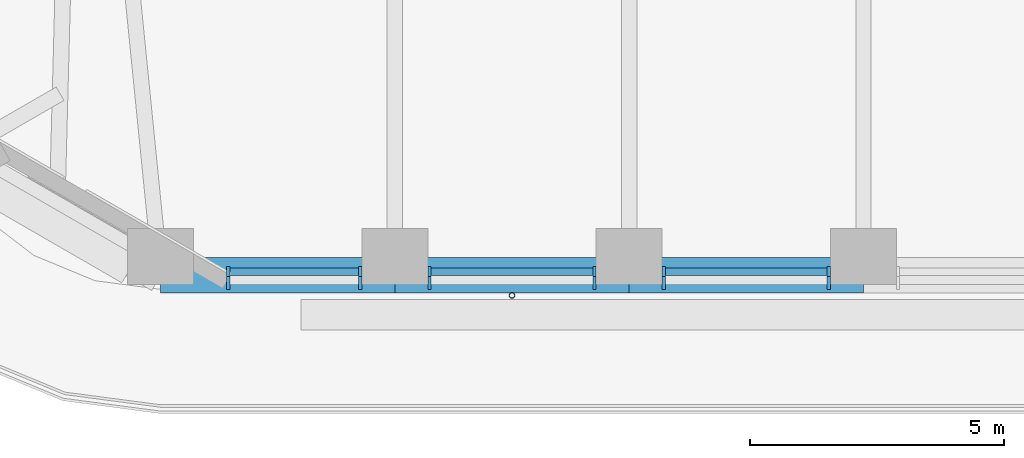
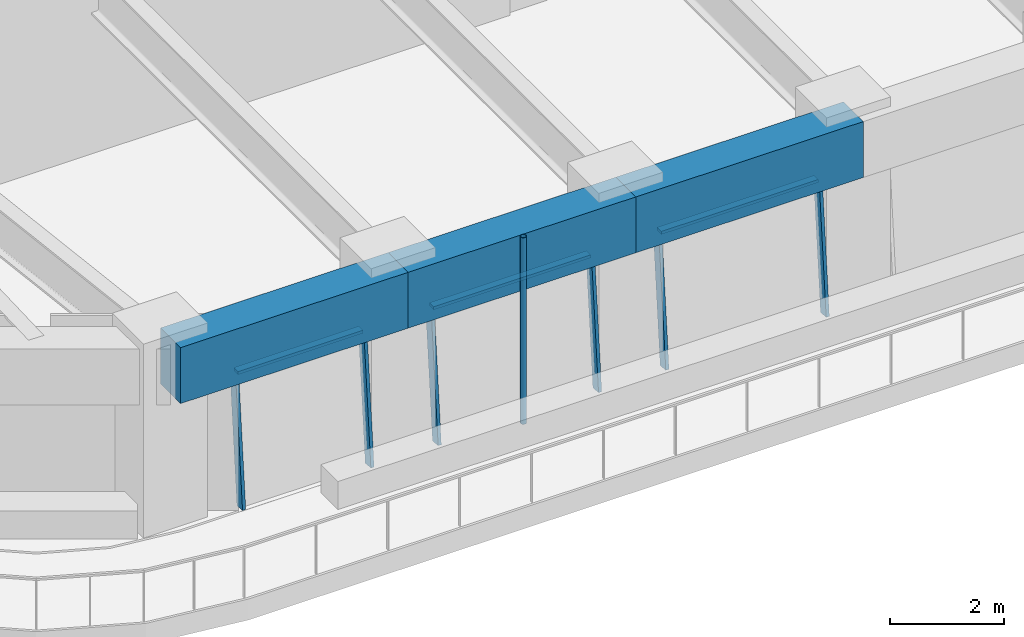
# One storey, part 2 of 20: 10 members, 3 beams, 3 elements without a shape of their own.
"""IFC4 building model written with IfcOpenShell, lengths in metres."""

from ifc_helpers import new_model, si_unit, direction, frame, origin, origin_2d, place, context, subcontext, project, spatial, rectangle, hollow_circle, extrude, material, material_profile, profile_set, type_object, element, aggregate, save


model = new_model("IFC4")

# Units and contexts
model_context = context("Model", 3, precision=1e-05, world=origin(), true_north=direction((0.0, 1.0)))
body_context = subcontext(model_context, "Body", "Model", "MODEL_VIEW")
ifc_project = project(units=[si_unit("LENGTHUNIT", "METRE"), si_unit("AREAUNIT", "SQUARE_METRE"), si_unit("VOLUMEUNIT", "CUBIC_METRE"), si_unit("PLANEANGLEUNIT", "RADIAN"), si_unit("MASSUNIT", "GRAM", prefix="KILO")], contexts=[model_context])

# Site, building, storey
site_placement = place(None, origin())
site = spatial("IfcSite", under=ifc_project, at=site_placement, CompositionType="ELEMENT")
building_placement = place(site_placement, origin())
building = spatial("IfcBuilding", under=site, at=building_placement, Name="Tarfa Lantern Tower", CompositionType="ELEMENT")
storey_placement = place(building_placement, frame((0.0, 0.0, 236.5)))
storey = spatial("IfcBuildingStorey", under=building, at=storey_placement, Name="L53", CompositionType="ELEMENT", Elevation=236.5)

# Curtain wall, members
ifc_material_1 = material(Name="Aluminium framed curtain wall", Category="aluminium")
curtain_wall_type = type_object("IfcCurtainWallType", Name="CW3 CANTED GLAZING HIGH ZONE 2800", PredefinedType="USERDEFINED", material=ifc_material_1)
curtain_wall_1_placement = place(storey_placement, origin())
curtain_wall_1 = element("IfcCurtainWall", 1, at=curtain_wall_1_placement, inside=storey, type_object=curtain_wall_type, Name="CW3 S L53", ObjectType="CURTAIN WALL", PredefinedType="USERDEFINED")
ifc_material_2 = material(Name="Aluminium mullion", Category="aluminium")
ifc_material_profile_1 = material_profile(ifc_material_2, rectangle(XDim=0.06494140625, YDim=0.199951171875, at=origin_2d()), Name="AL MULLION 65x200")
ifc_profile_set_1 = profile_set([ifc_material_profile_1], Name="Aluminium mullion")
member_type_1 = type_object("IfcMemberType", Name="CWM1 MULLION 65x200", PredefinedType="MULLION", material=ifc_profile_set_1)
member_1_placement = place(storey_placement, frame((-12.52392578125, -28.89990234375, 0.0), z_axis=(0.0, 0.088930399417, 0.996037842685), x_axis=(-1.0, 0.0, 0.0)))
member_1 = element("IfcMember", 2, at=member_1_placement, type_object=member_type_1, Name="CW3 mullion 1", PredefinedType="MULLION", context=body_context, shape_type="SweptSolid", body=[
    extrude(rectangle(XDim=0.06494140625, YDim=0.199951171875, at=origin_2d()), origin(), (0.0, 0.0, 1.0), 2.811279296875),
])
member_2_placement = place(storey_placement, frame((-9.920166015625, -28.89990234375, 0.0), z_axis=(0.0, 0.088930399417, 0.996037842685), x_axis=(-1.0, 0.0, 0.0)))
member_2 = element("IfcMember", 3, at=member_2_placement, type_object=member_type_1, Name="CW3 mullion 2", PredefinedType="MULLION", context=body_context, shape_type="SweptSolid", body=[
    extrude(rectangle(XDim=0.06494140625, YDim=0.199951171875, at=origin_2d()), origin(), (0.0, 0.0, 1.0), 2.811279296875),
])

curtain_wall_2_placement = place(storey_placement, origin())
curtain_wall_2 = element("IfcCurtainWall", 4, at=curtain_wall_2_placement, inside=storey, type_object=curtain_wall_type, Name="CW3 S L53", ObjectType="CURTAIN WALL", PredefinedType="USERDEFINED")
member_3_placement = place(storey_placement, frame((-8.55517578125, -28.89990234375, 0.0), z_axis=(0.0, 0.088930399417, 0.996037842685), x_axis=(-1.0, 0.0, 0.0)))
member_3 = element("IfcMember", 5, at=member_3_placement, type_object=member_type_1, Name="CW3 mullion 1", PredefinedType="MULLION", context=body_context, shape_type="SweptSolid", body=[
    extrude(rectangle(XDim=0.06494140625, YDim=0.199951171875, at=origin_2d()), origin(), (0.0, 0.0, 1.0), 2.811279296875),
])
member_4_placement = place(storey_placement, frame((-5.30126953125, -28.89990234375, 0.0), z_axis=(0.0, 0.088930399417, 0.996037842685), x_axis=(-1.0, 0.0, 0.0)))
member_4 = element("IfcMember", 6, at=member_4_placement, type_object=member_type_1, Name="CW3 mullion 2", PredefinedType="MULLION", context=body_context, shape_type="SweptSolid", body=[
    extrude(rectangle(XDim=0.06494140625, YDim=0.199951171875, at=origin_2d()), origin(), (0.0, 0.0, 1.0), 2.811279296875),
])

curtain_wall_3_placement = place(storey_placement, origin())
curtain_wall_3 = element("IfcCurtainWall", 7, at=curtain_wall_3_placement, inside=storey, type_object=curtain_wall_type, Name="CW3 S L53", ObjectType="CURTAIN WALL", PredefinedType="USERDEFINED")
member_5_placement = place(storey_placement, frame((-3.936279296875, -28.89990234375, 0.0), z_axis=(0.0, 0.088930399417, 0.996037842685), x_axis=(-1.0, 0.0, 0.0)))
member_5 = element("IfcMember", 8, at=member_5_placement, type_object=member_type_1, Name="CW3 mullion 1", PredefinedType="MULLION", context=body_context, shape_type="SweptSolid", body=[
    extrude(rectangle(XDim=0.06494140625, YDim=0.199951171875, at=origin_2d()), origin(), (0.0, 0.0, 1.0), 2.811279296875),
])
member_6_placement = place(storey_placement, frame((-0.6826171875, -28.89990234375, 0.0), z_axis=(0.0, 0.088930399417, 0.996037842685), x_axis=(-1.0, 0.0, 0.0)))
member_6 = element("IfcMember", 9, at=member_6_placement, type_object=member_type_1, Name="CW3 mullion 2", PredefinedType="MULLION", context=body_context, shape_type="SweptSolid", body=[
    extrude(rectangle(XDim=0.06494140625, YDim=0.199951171875, at=origin_2d()), origin(), (0.0, 0.0, 1.0), 2.811279296875),
])

# Member
ifc_material_3 = material(Name="Aluminium transom", Category="aluminium")
ifc_material_profile_2 = material_profile(ifc_material_3, rectangle(XDim=0.14990234375, YDim=0.06494140625, at=origin_2d()), Name="AL TRANSOM 150x65")
ifc_profile_set_2 = profile_set([ifc_material_profile_2], Name="Aluminium transom")
member_type_2 = type_object("IfcMemberType", Name="CWT1 TRANSOM 150x65", PredefinedType="USERDEFINED", material=ifc_profile_set_2)
member_7_placement = place(storey_placement, frame((-12.491455078125, -28.65283203125, 2.767578125), z_axis=(1.0, 0.0, 0.0), x_axis=(0.0, 1.0, 0.0)))
member_7 = element("IfcMember", 10, at=member_7_placement, type_object=member_type_2, Name="CW3 transom 1.2", ObjectType="TRANSOM", PredefinedType="USERDEFINED", context=body_context, shape_type="SweptSolid", body=[
    extrude(rectangle(XDim=0.14990234375, YDim=0.06494140625, at=origin_2d()), origin(), (0.0, 0.0, 1.0), 2.538818359375),
])

aggregate(curtain_wall_1, [member_1, member_2, member_7])

member_8_placement = place(storey_placement, frame((-8.522705078125, -28.65283203125, 2.767578125), z_axis=(1.0, 0.0, 0.0), x_axis=(0.0, 1.0, 0.0)))
member_8 = element("IfcMember", 11, at=member_8_placement, type_object=member_type_2, Name="CW3 transom 1.2", ObjectType="TRANSOM", PredefinedType="USERDEFINED", context=body_context, shape_type="SweptSolid", body=[
    extrude(rectangle(XDim=0.14990234375, YDim=0.06494140625, at=origin_2d()), origin(), (0.0, 0.0, 1.0), 3.18896484375),
])

aggregate(curtain_wall_2, [member_3, member_4, member_8])

member_9_placement = place(storey_placement, frame((-3.90380859375, -28.65283203125, 2.767578125), z_axis=(1.0, 0.0, 0.0), x_axis=(0.0, 1.0, 0.0)))
member_9 = element("IfcMember", 12, at=member_9_placement, type_object=member_type_2, Name="CW3 transom 1.2", ObjectType="TRANSOM", PredefinedType="USERDEFINED", context=body_context, shape_type="SweptSolid", body=[
    extrude(rectangle(XDim=0.14990234375, YDim=0.06494140625, at=origin_2d()), origin(), (0.0, 0.0, 1.0), 3.188720703125),
])

aggregate(curtain_wall_3, [member_5, member_6, member_9])

# Beams
ifc_material_4 = material(Name="Concrete C80/95", Category="concrete")
ifc_material_profile_3 = material_profile(ifc_material_4, rectangle(XDim=0.699951171875, YDim=1.199951171875, at=origin_2d()), Name="RC 700x1200")
ifc_profile_set_3 = profile_set([ifc_material_profile_3], Name="Concrete C80/95")
beam_type = type_object("IfcBeamType", Name="EB3 RC 700x1200", PredefinedType="SPANDREL", material=ifc_profile_set_3)
beam_1_placement = place(storey_placement, frame((-13.8564453125, -28.719970703125, 3.39990234375), z_axis=(1.0, 0.0, 0.0), x_axis=(0.0, 1.0, 0.0)))
element("IfcBeam", 13, at=beam_1_placement, inside=storey, type_object=beam_type, Name="Edge beam S0", PredefinedType="SPANDREL", context=body_context, shape_type="SweptSolid", body=[
    extrude(rectangle(XDim=0.699951171875, YDim=1.199951171875, at=origin_2d()), origin(), (0.0, 0.0, 1.0), 4.618896484375),
])
beam_2_placement = place(storey_placement, frame((-9.237548828125, -28.719970703125, 3.39990234375), z_axis=(1.0, 0.0, 0.0), x_axis=(0.0, 1.0, 0.0)))
element("IfcBeam", 14, at=beam_2_placement, inside=storey, type_object=beam_type, Name="Edge beam S1", PredefinedType="SPANDREL", context=body_context, shape_type="SweptSolid", body=[
    extrude(rectangle(XDim=0.699951171875, YDim=1.199951171875, at=origin_2d()), origin(), (0.0, 0.0, 1.0), 4.61865234375),
])
beam_3_placement = place(storey_placement, frame((-4.618896484375, -28.719970703125, 3.39990234375), z_axis=(1.0, 0.0, 0.0), x_axis=(0.0, 1.0, 0.0)))
element("IfcBeam", 15, at=beam_3_placement, inside=storey, type_object=beam_type, Name="Edge beam S2", PredefinedType="SPANDREL", context=body_context, shape_type="SweptSolid", body=[
    extrude(rectangle(XDim=0.699951171875, YDim=1.199951171875, at=origin_2d()), origin(), (0.0, 0.0, 1.0), 4.618896484375),
])

# Member
ifc_material_5 = material(Name="Steel S355", Category="steel")
ifc_material_profile_4 = material_profile(ifc_material_5, hollow_circle(Radius=0.05712890625, WallThickness=0.00634765625, at=origin_2d()), Name="CHS114.3x6.3")
ifc_profile_set_4 = profile_set([ifc_material_profile_4], Name="Steel S355")
member_type_3 = type_object("IfcMemberType", Name="TR1 GREEN WALL TRELLIS CHS114.3x6.3", PredefinedType="USERDEFINED", material=ifc_profile_set_4)
member_10_placement = place(storey_placement, frame((-6.92822265625, -29.1201171875, 0.0), z_axis=(0.0, 0.0, 1.0), x_axis=(1.0, 0.0, 0.0)))
element("IfcMember", 16, at=member_10_placement, inside=storey, type_object=member_type_3, Name="Trellis post S 1", ObjectType="TRELLIS", PredefinedType="USERDEFINED", context=body_context, shape_type="SweptSolid", body=[
    extrude(hollow_circle(Radius=0.05712890625, WallThickness=0.00634765625, at=origin_2d()), origin(), (0.0, 0.0, 1.0), 4.0),
])

save(model, "model.ifc")
